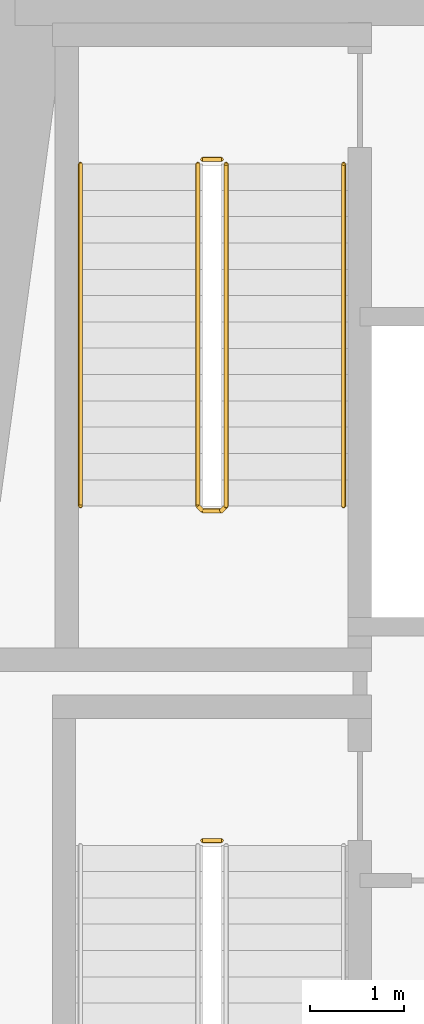
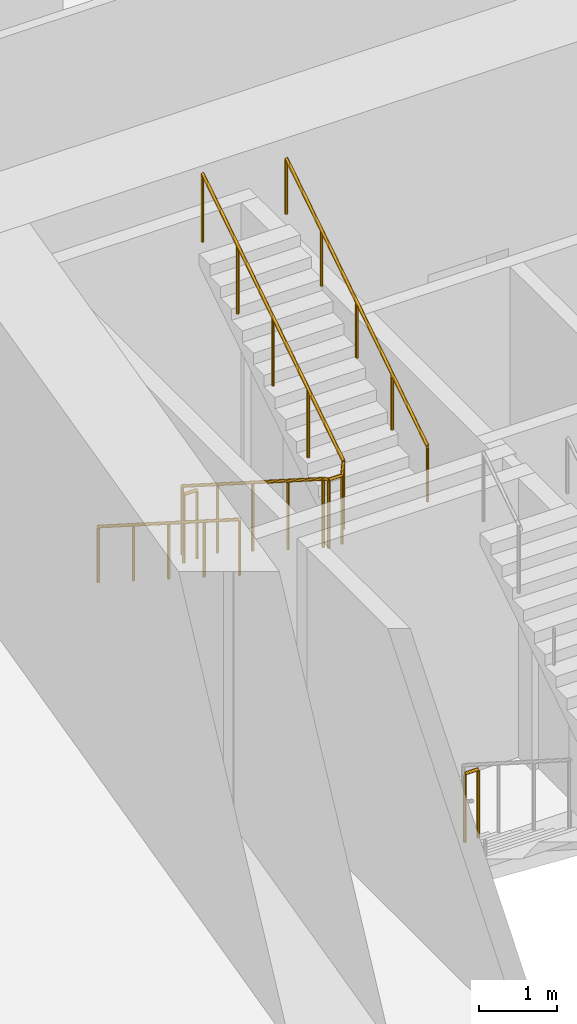
# One storey, part 28 of 33: 5 railings.
"""IFC4 building model written with IfcOpenShell, lengths in metres."""

from ifc_helpers import new_model, si_unit, direction, frame, origin, origin_2d, place, context, subcontext, project, spatial, circle, extrude, material, type_object, element, save


model = new_model("IFC4")

# Units and contexts
model_context = context("Model", 3, precision=1e-05, world=origin(), true_north=direction((0.0, 1.0)))
body_context = subcontext(model_context, "Body", "Model", "MODEL_VIEW")
ifc_project = project(units=[si_unit("LENGTHUNIT", "METRE"), si_unit("AREAUNIT", "SQUARE_METRE"), si_unit("VOLUMEUNIT", "CUBIC_METRE"), si_unit("PLANEANGLEUNIT", "RADIAN"), si_unit("MASSUNIT", "GRAM", prefix="KILO")], contexts=[model_context])

# Site, building, storey
site_placement = place(None, origin())
site = spatial("IfcSite", under=ifc_project, at=site_placement, CompositionType="ELEMENT")
building_placement = place(site_placement, origin())
building = spatial("IfcBuilding", under=site, at=building_placement, Name="Candeia Pilgrim Tower and Theatre", CompositionType="ELEMENT")
storey_placement = place(building_placement, frame((0.0, 0.0, 29.0)))
storey = spatial("IfcBuildingStorey", under=building, at=storey_placement, Name="L04", CompositionType="ELEMENT", Elevation=29.0)

# Railings
ifc_material_1 = material(Name="Stainless steel balustrade", Category="steel")
railing_type_1 = type_object("IfcRailingType", Name="RL-GUARD-1100", PredefinedType="GUARDRAIL", material=ifc_material_1)
railing_1_placement = place(storey_placement, frame((91.152099609375, 122.52490234375, 0.0)))
element("IfcRailing", 1, at=railing_1_placement, inside=storey, type_object=railing_type_1, Name="L04 ST1 stair guard 2", PredefinedType="GUARDRAIL", context=body_context, shape_type="SweptSolid", body=[
    extrude(circle(Radius=0.02392578125, at=origin_2d()), frame((0.0, 0.0, 1.076171875), z_axis=(1.0, 0.0, 0.0), x_axis=(0.0, 1.0, 0.0)), (0.0, 0.0, 1.0), 0.199951171875),
    extrude(circle(Radius=0.02099609375, at=origin_2d()), origin(), (0.0, 0.0, 1.0), 1.052001953125),
    extrude(circle(Radius=0.02099609375, at=origin_2d()), frame((0.199951171875, 0.0, 0.0)), (0.0, 0.0, 1.0), 1.052001953125),
])
railing_2_placement = place(storey_placement, frame((91.10205078125, 129.72509765625, 0.178466796875)))
element("IfcRailing", 2, at=railing_2_placement, inside=storey, type_object=railing_type_1, Name="L04 ST2 stair guard 1", PredefinedType="GUARDRAIL", context=body_context, shape_type="SweptSolid", body=[
    extrude(circle(Radius=0.02392578125, at=origin_2d()), frame((0.0, 0.0, 1.076171875), z_axis=(0.0, -0.843127859045, 0.537713132908), x_axis=(1.0, 0.0, 0.0)), (0.0, 0.0, 1.0), 4.3173828125),
    extrude(circle(Radius=0.02392578125, at=origin_2d()), frame((0.0, -3.64013671875, 3.3974609375), z_axis=(0.707106781187, -0.707106781187, 0.0), x_axis=(0.707106781187, 0.707106781187, 0.0)), (0.0, 0.0, 1.0), 0.07080078125),
    extrude(circle(Radius=0.02392578125, at=origin_2d()), frame((0.050048828125, -3.690185546875, 3.3974609375), z_axis=(1.0, 0.0, 0.0), x_axis=(0.0, 1.0, 0.0)), (0.0, 0.0, 1.0), 0.199951171875),
    extrude(circle(Radius=0.02392578125, at=origin_2d()), frame((0.25, -3.690185546875, 3.3974609375), z_axis=(0.260684529273, 0.260684529273, 0.929562882432), x_axis=(-0.707106781187, 0.707106781187, 0.0)), (0.0, 0.0, 1.0), 0.19189453125),
    extrude(circle(Radius=0.02392578125, at=origin_2d()), frame((0.300048828125, -3.64013671875, 3.576171875), z_axis=(0.0, 0.843127859045, 0.537713132908), x_axis=(-1.0, 0.0, 0.0)), (0.0, 0.0, 1.0), 4.3173828125),
    extrude(circle(Radius=0.02099609375, at=origin_2d()), origin(), (0.0, 0.0, 1.0), 1.052001953125),
    extrude(circle(Radius=0.02099609375, at=origin_2d()), frame((0.0, -0.91015625, 0.580322265625)), (0.0, 0.0, 1.0), 1.052001953125),
    extrude(circle(Radius=0.02099609375, at=origin_2d()), frame((0.0, -1.820068359375, 1.16064453125)), (0.0, 0.0, 1.0), 1.052001953125),
    extrude(circle(Radius=0.02099609375, at=origin_2d()), frame((0.0, -2.72998046875, 1.7412109375)), (0.0, 0.0, 1.0), 1.052001953125),
    extrude(circle(Radius=0.02099609375, at=origin_2d()), frame((0.0, -3.64013671875, 2.321533203125)), (0.0, 0.0, 1.0), 1.052001953125),
    extrude(circle(Radius=0.02099609375, at=origin_2d()), frame((0.050048828125, -3.690185546875, 2.321533203125)), (0.0, 0.0, 1.0), 1.052001953125),
    extrude(circle(Radius=0.02099609375, at=origin_2d()), frame((0.25, -3.690185546875, 2.321533203125)), (0.0, 0.0, 1.0), 1.052001953125),
    extrude(circle(Radius=0.02099609375, at=origin_2d()), frame((0.300048828125, -3.64013671875, 2.5)), (0.0, 0.0, 1.0), 1.052001953125),
    extrude(circle(Radius=0.02099609375, at=origin_2d()), frame((0.300048828125, -2.72998046875, 3.080322265625)), (0.0, 0.0, 1.0), 1.052001953125),
    extrude(circle(Radius=0.02099609375, at=origin_2d()), frame((0.300048828125, -1.820068359375, 3.66064453125)), (0.0, 0.0, 1.0), 1.052001953125),
    extrude(circle(Radius=0.02099609375, at=origin_2d()), frame((0.300048828125, -0.91015625, 4.2412109375)), (0.0, 0.0, 1.0), 1.052001953125),
    extrude(circle(Radius=0.02099609375, at=origin_2d()), frame((0.300048828125, 0.0, 4.821533203125)), (0.0, 0.0, 1.0), 1.052001953125),
])
railing_3_placement = place(storey_placement, frame((91.152099609375, 129.77490234375, 0.0)))
element("IfcRailing", 3, at=railing_3_placement, inside=storey, type_object=railing_type_1, Name="L04 ST2 stair guard 2", PredefinedType="GUARDRAIL", context=body_context, shape_type="SweptSolid", body=[
    extrude(circle(Radius=0.02392578125, at=origin_2d()), frame((0.0, 0.0, 1.076171875), z_axis=(1.0, 0.0, 0.0), x_axis=(0.0, 1.0, 0.0)), (0.0, 0.0, 1.0), 0.199951171875),
    extrude(circle(Radius=0.02099609375, at=origin_2d()), origin(), (0.0, 0.0, 1.0), 1.052001953125),
    extrude(circle(Radius=0.02099609375, at=origin_2d()), frame((0.199951171875, 0.0, 0.0)), (0.0, 0.0, 1.0), 1.052001953125),
])
ifc_material_2 = material(Name="Stainless steel handrail", Category="steel")
railing_type_2 = type_object("IfcRailingType", Name="RL-HANDRAIL-900", PredefinedType="HANDRAIL", material=ifc_material_2)
railing_4_placement = place(storey_placement, frame((89.85205078125, 129.72509765625, 0.178466796875)))
element("IfcRailing", 4, at=railing_4_placement, inside=storey, type_object=railing_type_2, Name="L04 ST2 stair handrail 1", PredefinedType="HANDRAIL", context=body_context, shape_type="SweptSolid", body=[
    extrude(circle(Radius=0.02392578125, at=origin_2d()), frame((0.0, 0.0, 0.8759765625), z_axis=(0.0, -0.843127859045, 0.537713132908), x_axis=(1.0, 0.0, 0.0)), (0.0, 0.0, 1.0), 4.3173828125),
    extrude(circle(Radius=0.02099609375, at=origin_2d()), origin(), (0.0, 0.0, 1.0), 0.851806640625),
    extrude(circle(Radius=0.02099609375, at=origin_2d()), frame((0.0, -0.91015625, 0.580322265625)), (0.0, 0.0, 1.0), 0.851806640625),
    extrude(circle(Radius=0.02099609375, at=origin_2d()), frame((0.0, -1.820068359375, 1.16064453125)), (0.0, 0.0, 1.0), 0.851806640625),
    extrude(circle(Radius=0.02099609375, at=origin_2d()), frame((0.0, -2.72998046875, 1.7412109375)), (0.0, 0.0, 1.0), 0.851806640625),
    extrude(circle(Radius=0.02099609375, at=origin_2d()), frame((0.0, -3.64013671875, 2.321533203125)), (0.0, 0.0, 1.0), 0.851806640625),
])
railing_5_placement = place(storey_placement, frame((92.652099609375, 126.0849609375, 2.678466796875)))
element("IfcRailing", 5, at=railing_5_placement, inside=storey, type_object=railing_type_2, Name="L04 ST2 stair handrail 2", PredefinedType="HANDRAIL", context=body_context, shape_type="SweptSolid", body=[
    extrude(circle(Radius=0.02392578125, at=origin_2d()), frame((0.0, 0.0, 0.8759765625), z_axis=(0.0, 0.843127859045, 0.537713132908), x_axis=(-1.0, 0.0, 0.0)), (0.0, 0.0, 1.0), 4.3173828125),
    extrude(circle(Radius=0.02099609375, at=origin_2d()), origin(), (0.0, 0.0, 1.0), 0.851806640625),
    extrude(circle(Radius=0.02099609375, at=origin_2d()), frame((0.0, 0.91015625, 0.580322265625)), (0.0, 0.0, 1.0), 0.851806640625),
    extrude(circle(Radius=0.02099609375, at=origin_2d()), frame((0.0, 1.820068359375, 1.16064453125)), (0.0, 0.0, 1.0), 0.851806640625),
    extrude(circle(Radius=0.02099609375, at=origin_2d()), frame((0.0, 2.72998046875, 1.7412109375)), (0.0, 0.0, 1.0), 0.851806640625),
    extrude(circle(Radius=0.02099609375, at=origin_2d()), frame((0.0, 3.64013671875, 2.321533203125)), (0.0, 0.0, 1.0), 0.851806640625),
])

save(model, "model.ifc")
